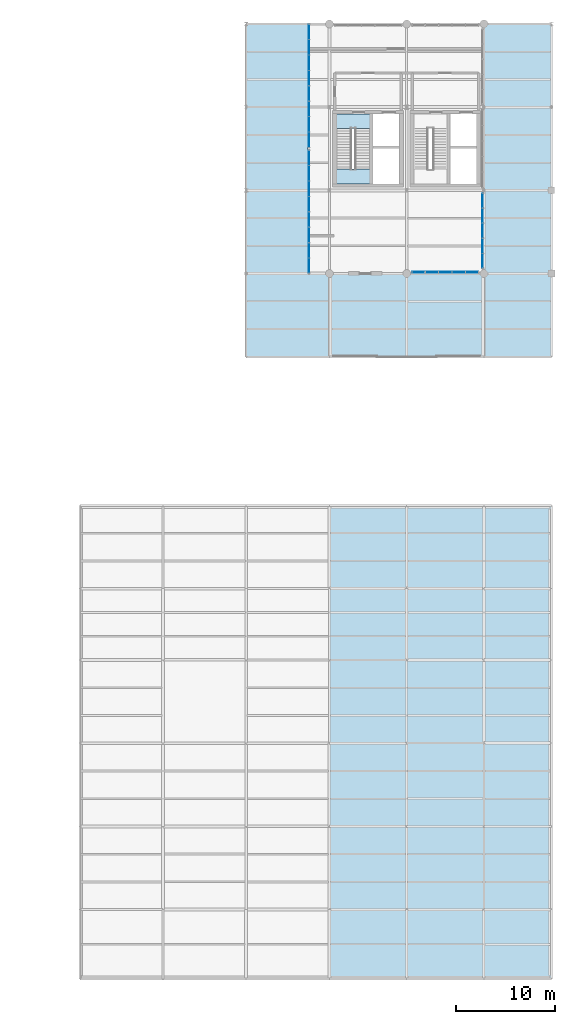
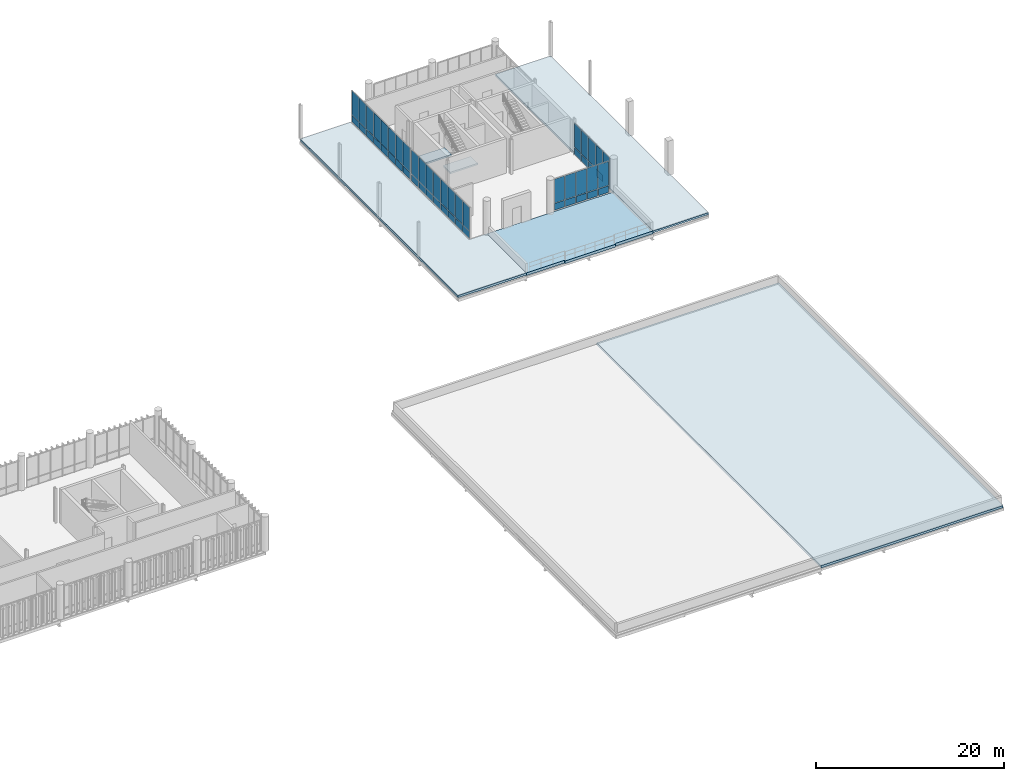
# One storey, part 55 of 68: 52 plates, 6 slabs, 5 elements without a shape of their own.
"""IFC4 building model written with IfcOpenShell, lengths in metres."""

from ifc_helpers import new_model, si_unit, direction, frame, frame_2d, origin_with_axes, place, context, subcontext, project, spatial, polyline, rectangle, outline, extrude, material, layer, layer_set, type_object, element, aggregate, save


model = new_model("IFC4")

# Units and contexts
model_context = context("Model", 3, precision=1e-05, world=origin_with_axes(), true_north=direction((0.0, 1.0)))
body_context = subcontext(model_context, "Body", "Model", "MODEL_VIEW")
ifc_project = project(units=[si_unit("LENGTHUNIT", "METRE"), si_unit("AREAUNIT", "SQUARE_METRE"), si_unit("VOLUMEUNIT", "CUBIC_METRE"), si_unit("PLANEANGLEUNIT", "RADIAN"), si_unit("MASSUNIT", "GRAM", prefix="KILO"), si_unit("THERMODYNAMICTEMPERATUREUNIT", "KELVIN")], contexts=[model_context])

# Site, building, storey
site_placement = place(None, origin_with_axes())
site = spatial("IfcSite", under=ifc_project, at=site_placement, CompositionType="ELEMENT")
building_placement = place(site_placement, origin_with_axes())
building = spatial("IfcBuilding", under=site, at=building_placement, Name="Montbau Bow Law Courts", CompositionType="ELEMENT")
storey_placement = place(building_placement, frame((0.0, 0.0, 20.4), z_axis=(0.0, 0.0, 1.0), x_axis=(1.0, 0.0, 0.0)))
storey = spatial("IfcBuildingStorey", under=building, at=storey_placement, Name="L04", CompositionType="ELEMENT", Elevation=20.4)

# Curtain wall, plates
ifc_material_1 = material(Name="Thermally Broken Extruded Aluminium AA 6063-T6", Category="aluminium")
curtain_wall_type = type_object("IfcCurtainWallType", Name="CW-NCK-01", PredefinedType="NOTDEFINED", material=ifc_material_1)
curtain_wall_1_placement = place(None, frame((155.315, 78.14, 20.4), z_axis=(0.0, 0.0, 1.0), x_axis=(1.0, 0.0, 0.0)))
curtain_wall_1 = element("IfcCurtainWall", 1, at=curtain_wall_1_placement, inside=storey, type_object=curtain_wall_type, Name="CW-L04-325:cw_0325", PredefinedType="NOTDEFINED")
ifc_material_2 = material(Name="Insulated Ceramic-Frit Spandrel Glazing Unit", Category="glass")
ifc_layer_1 = layer(ifc_material_2, 0.056, Name="Curtain Panel", Category="glass")
ifc_layer_set_1 = layer_set([ifc_layer_1], Name="Insulated Ceramic-Frit Spandrel Glazing Unit")
plate_type_1 = type_object("IfcPlateType", Name="PL-CWP-02", PredefinedType="CURTAIN_PANEL", material=ifc_layer_set_1)
plate_1_placement = place(None, frame((155.383, 78.14, 20.456), z_axis=(0.0, -1.0, 0.0), x_axis=(1.0, 0.0, 0.0)))
plate_1 = element("IfcPlate", 2, at=plate_1_placement, type_object=plate_type_1, Name="CW-L04-325-P01-1:cw_0325_P01_1", PredefinedType="CURTAIN_PANEL", context=body_context, shape_type="SweptSolid", body=[
    extrude(rectangle(XDim=1.252, YDim=0.865, at=frame_2d((0.626, 0.4325), x_axis=(1.0, 0.0))), frame((0.0, 0.0, -0.028), z_axis=(0.0, 0.0, 1.0), x_axis=(1.0, 0.0, 0.0)), (0.0, 0.0, 1.0), 0.056),
])
plate_2_placement = place(None, frame((156.704, 78.14, 20.456), z_axis=(0.0, -1.0, 0.0), x_axis=(1.0, 0.0, 0.0)))
plate_2 = element("IfcPlate", 3, at=plate_2_placement, type_object=plate_type_1, Name="CW-L04-325-P02-1:cw_0325_P02_1", PredefinedType="CURTAIN_PANEL", context=body_context, shape_type="SweptSolid", body=[
    extrude(rectangle(XDim=1.285, YDim=0.865, at=frame_2d((0.6425, 0.4325), x_axis=(1.0, 0.0))), frame((0.0, 0.0, -0.028), z_axis=(0.0, 0.0, 1.0), x_axis=(1.0, 0.0, 0.0)), (0.0, 0.0, 1.0), 0.056),
])
plate_3_placement = place(None, frame((158.058, 78.14, 20.456), z_axis=(0.0, -1.0, 0.0), x_axis=(1.0, 0.0, 0.0)))
plate_3 = element("IfcPlate", 4, at=plate_3_placement, type_object=plate_type_1, Name="CW-L04-325-P03-1:cw_0325_P03_1", PredefinedType="CURTAIN_PANEL", context=body_context, shape_type="SweptSolid", body=[
    extrude(rectangle(XDim=1.285, YDim=0.865, at=frame_2d((0.6425, 0.4325), x_axis=(1.0, 0.0))), frame((0.0, 0.0, -0.028), z_axis=(0.0, 0.0, 1.0), x_axis=(1.0, 0.0, 0.0)), (0.0, 0.0, 1.0), 0.056),
])
plate_4_placement = place(None, frame((159.411, 78.14, 20.456), z_axis=(0.0, -1.0, 0.0), x_axis=(1.0, 0.0, 0.0)))
plate_4 = element("IfcPlate", 5, at=plate_4_placement, type_object=plate_type_1, Name="CW-L04-325-P04-1:cw_0325_P04_1", PredefinedType="CURTAIN_PANEL", context=body_context, shape_type="SweptSolid", body=[
    extrude(rectangle(XDim=1.286, YDim=0.865, at=frame_2d((0.643, 0.4325), x_axis=(1.0, 0.0))), frame((0.0, 0.0, -0.028), z_axis=(0.0, 0.0, 1.0), x_axis=(1.0, 0.0, 0.0)), (0.0, 0.0, 1.0), 0.056),
])
plate_5_placement = place(None, frame((160.765, 78.14, 20.456), z_axis=(0.0, -1.0, 0.0), x_axis=(1.0, 0.0, 0.0)))
plate_5 = element("IfcPlate", 6, at=plate_5_placement, type_object=plate_type_1, Name="CW-L04-325-P05-1:cw_0325_P05_1", PredefinedType="CURTAIN_PANEL", context=body_context, shape_type="SweptSolid", body=[
    extrude(rectangle(XDim=1.254, YDim=0.865, at=frame_2d((0.627, 0.4325), x_axis=(1.0, 0.0))), frame((0.0, 0.0, -0.028), z_axis=(0.0, 0.0, 1.0), x_axis=(1.0, 0.0, 0.0)), (0.0, 0.0, 1.0), 0.056),
])

curtain_wall_2_placement = place(None, frame((144.94, 78.0, 20.4), z_axis=(0.0, 0.0, 1.0), x_axis=(1.0, 0.0, 0.0)))
curtain_wall_2 = element("IfcCurtainWall", 7, at=curtain_wall_2_placement, inside=storey, type_object=curtain_wall_type, Name="CW-L04-328:cw_0328", PredefinedType="NOTDEFINED")
plate_6_placement = place(None, frame((144.94, 78.068, 20.462), z_axis=(1.0, 0.0, 0.0), x_axis=(0.0, 1.0, 0.0)))
plate_6 = element("IfcPlate", 8, at=plate_6_placement, type_object=plate_type_1, Name="CW-L04-328-P01-1:cw_0328_P01_1", PredefinedType="CURTAIN_PANEL", context=body_context, shape_type="SweptSolid", body=[
    extrude(rectangle(XDim=1.458, YDim=0.856, at=frame_2d((0.729, 0.428), x_axis=(1.0, 0.0))), frame((0.0, 0.0, -0.028), z_axis=(0.0, 0.0, 1.0), x_axis=(1.0, 0.0, 0.0)), (0.0, 0.0, 1.0), 0.056),
])
plate_7_placement = place(None, frame((144.94, 79.595, 20.462), z_axis=(1.0, 0.0, 0.0), x_axis=(0.0, 1.0, 0.0)))
plate_7 = element("IfcPlate", 9, at=plate_7_placement, type_object=plate_type_1, Name="CW-L04-328-P02-1:cw_0328_P02_1", PredefinedType="CURTAIN_PANEL", context=body_context, shape_type="SweptSolid", body=[
    extrude(rectangle(XDim=1.491, YDim=0.856, at=frame_2d((0.7455, 0.428), x_axis=(1.0, 0.0))), frame((0.0, 0.0, -0.028), z_axis=(0.0, 0.0, 1.0), x_axis=(1.0, 0.0, 0.0)), (0.0, 0.0, 1.0), 0.056),
])
plate_8_placement = place(None, frame((144.94, 81.155, 20.462), z_axis=(1.0, 0.0, 0.0), x_axis=(0.0, 1.0, 0.0)))
plate_8 = element("IfcPlate", 10, at=plate_8_placement, type_object=plate_type_1, Name="CW-L04-328-P03-1:cw_0328_P03_1", PredefinedType="CURTAIN_PANEL", context=body_context, shape_type="SweptSolid", body=[
    extrude(rectangle(XDim=1.491, YDim=0.856, at=frame_2d((0.7455, 0.428), x_axis=(1.0, 0.0))), frame((0.0, 0.0, -0.028), z_axis=(0.0, 0.0, 1.0), x_axis=(1.0, 0.0, 0.0)), (0.0, 0.0, 1.0), 0.056),
])
plate_9_placement = place(None, frame((144.94, 82.714, 20.462), z_axis=(1.0, 0.0, 0.0), x_axis=(0.0, 1.0, 0.0)))
plate_9 = element("IfcPlate", 11, at=plate_9_placement, type_object=plate_type_1, Name="CW-L04-328-P04-1:cw_0328_P04_1", PredefinedType="CURTAIN_PANEL", context=body_context, shape_type="SweptSolid", body=[
    extrude(rectangle(XDim=1.492, YDim=0.856, at=frame_2d((0.746, 0.428), x_axis=(1.0, 0.0))), frame((0.0, 0.0, -0.028), z_axis=(0.0, 0.0, 1.0), x_axis=(1.0, 0.0, 0.0)), (0.0, 0.0, 1.0), 0.056),
])
plate_10_placement = place(None, frame((144.94, 84.274, 20.462), z_axis=(1.0, 0.0, 0.0), x_axis=(0.0, 1.0, 0.0)))
plate_10 = element("IfcPlate", 12, at=plate_10_placement, type_object=plate_type_1, Name="CW-L04-328-P05-1:cw_0328_P05_1", PredefinedType="CURTAIN_PANEL", context=body_context, shape_type="SweptSolid", body=[
    extrude(rectangle(XDim=1.492, YDim=0.856, at=frame_2d((0.746, 0.428), x_axis=(1.0, 0.0))), frame((0.0, 0.0, -0.028), z_axis=(0.0, 0.0, 1.0), x_axis=(1.0, 0.0, 0.0)), (0.0, 0.0, 1.0), 0.056),
])
plate_11_placement = place(None, frame((144.94, 85.834, 20.462), z_axis=(1.0, 0.0, 0.0), x_axis=(0.0, 1.0, 0.0)))
plate_11 = element("IfcPlate", 13, at=plate_11_placement, type_object=plate_type_1, Name="CW-L04-328-P06-1:cw_0328_P06_1", PredefinedType="CURTAIN_PANEL", context=body_context, shape_type="SweptSolid", body=[
    extrude(rectangle(XDim=1.491, YDim=0.856, at=frame_2d((0.7455, 0.428), x_axis=(1.0, 0.0))), frame((0.0, 0.0, -0.028), z_axis=(0.0, 0.0, 1.0), x_axis=(1.0, 0.0, 0.0)), (0.0, 0.0, 1.0), 0.056),
])
plate_12_placement = place(None, frame((144.94, 87.395, 20.462), z_axis=(1.0, 0.0, 0.0), x_axis=(0.0, 1.0, 0.0)))
plate_12 = element("IfcPlate", 14, at=plate_12_placement, type_object=plate_type_1, Name="CW-L04-328-P07-1:cw_0328_P07_1", PredefinedType="CURTAIN_PANEL", context=body_context, shape_type="SweptSolid", body=[
    extrude(rectangle(XDim=1.49, YDim=0.856, at=frame_2d((0.745, 0.428), x_axis=(1.0, 0.0))), frame((0.0, 0.0, -0.028), z_axis=(0.0, 0.0, 1.0), x_axis=(1.0, 0.0, 0.0)), (0.0, 0.0, 1.0), 0.056),
])
plate_13_placement = place(None, frame((144.94, 88.955, 20.462), z_axis=(1.0, 0.0, 0.0), x_axis=(0.0, 1.0, 0.0)))
plate_13 = element("IfcPlate", 15, at=plate_13_placement, type_object=plate_type_1, Name="CW-L04-328-P08-1:cw_0328_P08_1", PredefinedType="CURTAIN_PANEL", context=body_context, shape_type="SweptSolid", body=[
    extrude(rectangle(XDim=1.458, YDim=0.856, at=frame_2d((0.729, 0.428), x_axis=(1.0, 0.0))), frame((0.0, 0.0, -0.028), z_axis=(0.0, 0.0, 1.0), x_axis=(1.0, 0.0, 0.0)), (0.0, 0.0, 1.0), 0.056),
])

curtain_wall_3_placement = place(None, frame((144.94, 90.72, 20.4), z_axis=(0.0, 0.0, 1.0), x_axis=(1.0, 0.0, 0.0)))
curtain_wall_3 = element("IfcCurtainWall", 16, at=curtain_wall_3_placement, inside=storey, type_object=curtain_wall_type, Name="CW-L04-329:cw_0329", PredefinedType="NOTDEFINED")
plate_14_placement = place(None, frame((144.94, 90.782, 20.456), z_axis=(1.0, 0.0, 0.0), x_axis=(0.0, 1.0, 0.0)))
plate_14 = element("IfcPlate", 17, at=plate_14_placement, type_object=plate_type_1, Name="CW-L04-329-P01-1:cw_0329_P01_1", PredefinedType="CURTAIN_PANEL", context=body_context, shape_type="SweptSolid", body=[
    extrude(rectangle(XDim=1.466, YDim=0.865, at=frame_2d((0.733, 0.4325), x_axis=(1.0, 0.0))), frame((0.0, 0.0, -0.028), z_axis=(0.0, 0.0, 1.0), x_axis=(1.0, 0.0, 0.0)), (0.0, 0.0, 1.0), 0.056),
])
plate_15_placement = place(None, frame((144.94, 92.312, 20.456), z_axis=(1.0, 0.0, 0.0), x_axis=(0.0, 1.0, 0.0)))
plate_15 = element("IfcPlate", 18, at=plate_15_placement, type_object=plate_type_1, Name="CW-L04-329-P02-1:cw_0329_P02_1", PredefinedType="CURTAIN_PANEL", context=body_context, shape_type="SweptSolid", body=[
    extrude(rectangle(XDim=1.496, YDim=0.865, at=frame_2d((0.748, 0.4325), x_axis=(1.0, 0.0))), frame((0.0, 0.0, -0.028), z_axis=(0.0, 0.0, 1.0), x_axis=(1.0, 0.0, 0.0)), (0.0, 0.0, 1.0), 0.056),
])
plate_16_placement = place(None, frame((144.94, 93.872, 20.456), z_axis=(1.0, 0.0, 0.0), x_axis=(0.0, 1.0, 0.0)))
plate_16 = element("IfcPlate", 19, at=plate_16_placement, type_object=plate_type_1, Name="CW-L04-329-P03-1:cw_0329_P03_1", PredefinedType="CURTAIN_PANEL", context=body_context, shape_type="SweptSolid", body=[
    extrude(rectangle(XDim=1.496, YDim=0.865, at=frame_2d((0.748, 0.4325), x_axis=(1.0, 0.0))), frame((0.0, 0.0, -0.028), z_axis=(0.0, 0.0, 1.0), x_axis=(1.0, 0.0, 0.0)), (0.0, 0.0, 1.0), 0.056),
])
plate_17_placement = place(None, frame((144.94, 95.432, 20.456), z_axis=(1.0, 0.0, 0.0), x_axis=(0.0, 1.0, 0.0)))
plate_17 = element("IfcPlate", 20, at=plate_17_placement, type_object=plate_type_1, Name="CW-L04-329-P04-1:cw_0329_P04_1", PredefinedType="CURTAIN_PANEL", context=body_context, shape_type="SweptSolid", body=[
    extrude(rectangle(XDim=1.496, YDim=0.865, at=frame_2d((0.748, 0.4325), x_axis=(1.0, 0.0))), frame((0.0, 0.0, -0.028), z_axis=(0.0, 0.0, 1.0), x_axis=(1.0, 0.0, 0.0)), (0.0, 0.0, 1.0), 0.056),
])
plate_18_placement = place(None, frame((144.94, 96.992, 20.456), z_axis=(1.0, 0.0, 0.0), x_axis=(0.0, 1.0, 0.0)))
plate_18 = element("IfcPlate", 21, at=plate_18_placement, type_object=plate_type_1, Name="CW-L04-329-P05-1:cw_0329_P05_1", PredefinedType="CURTAIN_PANEL", context=body_context, shape_type="SweptSolid", body=[
    extrude(rectangle(XDim=1.496, YDim=0.865, at=frame_2d((0.748, 0.4325), x_axis=(1.0, 0.0))), frame((0.0, 0.0, -0.028), z_axis=(0.0, 0.0, 1.0), x_axis=(1.0, 0.0, 0.0)), (0.0, 0.0, 1.0), 0.056),
])
plate_19_placement = place(None, frame((144.94, 98.552, 20.456), z_axis=(1.0, 0.0, 0.0), x_axis=(0.0, 1.0, 0.0)))
plate_19 = element("IfcPlate", 22, at=plate_19_placement, type_object=plate_type_1, Name="CW-L04-329-P06-1:cw_0329_P06_1", PredefinedType="CURTAIN_PANEL", context=body_context, shape_type="SweptSolid", body=[
    extrude(rectangle(XDim=1.496, YDim=0.865, at=frame_2d((0.748, 0.4325), x_axis=(1.0, 0.0))), frame((0.0, 0.0, -0.028), z_axis=(0.0, 0.0, 1.0), x_axis=(1.0, 0.0, 0.0)), (0.0, 0.0, 1.0), 0.056),
])
plate_20_placement = place(None, frame((144.94, 100.112, 20.456), z_axis=(1.0, 0.0, 0.0), x_axis=(0.0, 1.0, 0.0)))
plate_20 = element("IfcPlate", 23, at=plate_20_placement, type_object=plate_type_1, Name="CW-L04-329-P07-1:cw_0329_P07_1", PredefinedType="CURTAIN_PANEL", context=body_context, shape_type="SweptSolid", body=[
    extrude(rectangle(XDim=1.496, YDim=0.865, at=frame_2d((0.748, 0.4325), x_axis=(1.0, 0.0))), frame((0.0, 0.0, -0.028), z_axis=(0.0, 0.0, 1.0), x_axis=(1.0, 0.0, 0.0)), (0.0, 0.0, 1.0), 0.056),
])
plate_21_placement = place(None, frame((144.94, 101.672, 20.456), z_axis=(1.0, 0.0, 0.0), x_axis=(0.0, 1.0, 0.0)))
plate_21 = element("IfcPlate", 24, at=plate_21_placement, type_object=plate_type_1, Name="CW-L04-329-P08-1:cw_0329_P08_1", PredefinedType="CURTAIN_PANEL", context=body_context, shape_type="SweptSolid", body=[
    extrude(rectangle(XDim=1.466, YDim=0.865, at=frame_2d((0.733, 0.4325), x_axis=(1.0, 0.0))), frame((0.0, 0.0, -0.028), z_axis=(0.0, 0.0, 1.0), x_axis=(1.0, 0.0, 0.0)), (0.0, 0.0, 1.0), 0.056),
])

curtain_wall_4_placement = place(None, frame((162.46, 78.515, 20.4), z_axis=(0.0, 0.0, 1.0), x_axis=(1.0, 0.0, 0.0)))
curtain_wall_4 = element("IfcCurtainWall", 25, at=curtain_wall_4_placement, inside=storey, type_object=curtain_wall_type, Name="CW-L04-330:cw_0330", PredefinedType="NOTDEFINED")
plate_22_placement = place(None, frame((162.46, 78.591, 20.462), z_axis=(1.0, 0.0, 0.0), x_axis=(0.0, 1.0, 0.0)))
plate_22 = element("IfcPlate", 26, at=plate_22_placement, type_object=plate_type_1, Name="CW-L04-330-P01-1:cw_0330_P01_1", PredefinedType="CURTAIN_PANEL", context=body_context, shape_type="SweptSolid", body=[
    extrude(rectangle(XDim=1.408, YDim=0.856, at=frame_2d((0.704, 0.428), x_axis=(1.0, 0.0))), frame((0.0, 0.0, -0.028), z_axis=(0.0, 0.0, 1.0), x_axis=(1.0, 0.0, 0.0)), (0.0, 0.0, 1.0), 0.056),
])
plate_23_placement = place(None, frame((162.46, 80.079, 20.462), z_axis=(1.0, 0.0, 0.0), x_axis=(0.0, 1.0, 0.0)))
plate_23 = element("IfcPlate", 27, at=plate_23_placement, type_object=plate_type_1, Name="CW-L04-330-P02-1:cw_0330_P02_1", PredefinedType="CURTAIN_PANEL", context=body_context, shape_type="SweptSolid", body=[
    extrude(rectangle(XDim=1.444, YDim=0.856, at=frame_2d((0.722, 0.428), x_axis=(1.0, 0.0))), frame((0.0, 0.0, -0.028), z_axis=(0.0, 0.0, 1.0), x_axis=(1.0, 0.0, 0.0)), (0.0, 0.0, 1.0), 0.056),
])
plate_24_placement = place(None, frame((162.46, 81.602, 20.462), z_axis=(1.0, 0.0, 0.0), x_axis=(0.0, 1.0, 0.0)))
plate_24 = element("IfcPlate", 28, at=plate_24_placement, type_object=plate_type_1, Name="CW-L04-330-P03-1:cw_0330_P03_1", PredefinedType="CURTAIN_PANEL", context=body_context, shape_type="SweptSolid", body=[
    extrude(rectangle(XDim=1.445, YDim=0.856, at=frame_2d((0.7225, 0.428), x_axis=(1.0, 0.0))), frame((0.0, 0.0, -0.028), z_axis=(0.0, 0.0, 1.0), x_axis=(1.0, 0.0, 0.0)), (0.0, 0.0, 1.0), 0.056),
])
plate_25_placement = place(None, frame((162.46, 83.125, 20.462), z_axis=(1.0, 0.0, 0.0), x_axis=(0.0, 1.0, 0.0)))
plate_25 = element("IfcPlate", 29, at=plate_25_placement, type_object=plate_type_1, Name="CW-L04-330-P04-1:cw_0330_P04_1", PredefinedType="CURTAIN_PANEL", context=body_context, shape_type="SweptSolid", body=[
    extrude(rectangle(XDim=1.445, YDim=0.856, at=frame_2d((0.7225, 0.428), x_axis=(1.0, 0.0))), frame((0.0, 0.0, -0.028), z_axis=(0.0, 0.0, 1.0), x_axis=(1.0, 0.0, 0.0)), (0.0, 0.0, 1.0), 0.056),
])
plate_26_placement = place(None, frame((162.46, 84.648, 20.462), z_axis=(1.0, 0.0, 0.0), x_axis=(0.0, 1.0, 0.0)))
plate_26 = element("IfcPlate", 30, at=plate_26_placement, type_object=plate_type_1, Name="CW-L04-330-P05-1:cw_0330_P05_1", PredefinedType="CURTAIN_PANEL", context=body_context, shape_type="SweptSolid", body=[
    extrude(rectangle(XDim=1.408, YDim=0.856, at=frame_2d((0.704, 0.428), x_axis=(1.0, 0.0))), frame((0.0, 0.0, -0.028), z_axis=(0.0, 0.0, 1.0), x_axis=(1.0, 0.0, 0.0)), (0.0, 0.0, 1.0), 0.056),
])

# Plate
ifc_material_3 = material(Name="Triple-Glazed Winter-Garden Vision Unit", Category="glass")
ifc_layer_2 = layer(ifc_material_3, 0.036, Name="Curtain Panel", Category="glass")
ifc_layer_set_2 = layer_set([ifc_layer_2], Name="Triple-Glazed Winter-Garden Vision Unit")
plate_type_2 = type_object("IfcPlateType", Name="PL-CWP-03", PredefinedType="CURTAIN_PANEL", material=ifc_layer_set_2)
plate_27_placement = place(None, frame((155.383, 78.14, 21.38), z_axis=(0.0, -1.0, 0.0), x_axis=(1.0, 0.0, 0.0)))
plate_27 = element("IfcPlate", 31, at=plate_27_placement, type_object=plate_type_2, Name="CW-L04-325-P01-2:cw_0325_P01_2", PredefinedType="CURTAIN_PANEL", context=body_context, shape_type="SweptSolid", body=[
    extrude(rectangle(XDim=1.252, YDim=3.103, at=frame_2d((0.626, 1.5515), x_axis=(1.0, 0.0))), frame((0.0, 0.0, -0.018), z_axis=(0.0, 0.0, 1.0), x_axis=(1.0, 0.0, 0.0)), (0.0, 0.0, 1.0), 0.036),
])

plate_28_placement = place(None, frame((156.704, 78.14, 21.38), z_axis=(0.0, -1.0, 0.0), x_axis=(1.0, 0.0, 0.0)))
plate_28 = element("IfcPlate", 32, at=plate_28_placement, type_object=plate_type_2, Name="CW-L04-325-P02-2:cw_0325_P02_2", PredefinedType="CURTAIN_PANEL", context=body_context, shape_type="SweptSolid", body=[
    extrude(rectangle(XDim=1.285, YDim=3.103, at=frame_2d((0.6425, 1.5515), x_axis=(1.0, 0.0))), frame((0.0, 0.0, -0.018), z_axis=(0.0, 0.0, 1.0), x_axis=(1.0, 0.0, 0.0)), (0.0, 0.0, 1.0), 0.036),
])

plate_29_placement = place(None, frame((158.058, 78.14, 21.38), z_axis=(0.0, -1.0, 0.0), x_axis=(1.0, 0.0, 0.0)))
plate_29 = element("IfcPlate", 33, at=plate_29_placement, type_object=plate_type_2, Name="CW-L04-325-P03-2:cw_0325_P03_2", PredefinedType="CURTAIN_PANEL", context=body_context, shape_type="SweptSolid", body=[
    extrude(rectangle(XDim=1.285, YDim=3.103, at=frame_2d((0.6425, 1.5515), x_axis=(1.0, 0.0))), frame((0.0, 0.0, -0.018), z_axis=(0.0, 0.0, 1.0), x_axis=(1.0, 0.0, 0.0)), (0.0, 0.0, 1.0), 0.036),
])

plate_30_placement = place(None, frame((159.411, 78.14, 21.38), z_axis=(0.0, -1.0, 0.0), x_axis=(1.0, 0.0, 0.0)))
plate_30 = element("IfcPlate", 34, at=plate_30_placement, type_object=plate_type_2, Name="CW-L04-325-P04-2:cw_0325_P04_2", PredefinedType="CURTAIN_PANEL", context=body_context, shape_type="SweptSolid", body=[
    extrude(rectangle(XDim=1.286, YDim=3.103, at=frame_2d((0.643, 1.5515), x_axis=(1.0, 0.0))), frame((0.0, 0.0, -0.018), z_axis=(0.0, 0.0, 1.0), x_axis=(1.0, 0.0, 0.0)), (0.0, 0.0, 1.0), 0.036),
])

plate_31_placement = place(None, frame((160.765, 78.14, 21.38), z_axis=(0.0, -1.0, 0.0), x_axis=(1.0, 0.0, 0.0)))
plate_31 = element("IfcPlate", 35, at=plate_31_placement, type_object=plate_type_2, Name="CW-L04-325-P05-2:cw_0325_P05_2", PredefinedType="CURTAIN_PANEL", context=body_context, shape_type="SweptSolid", body=[
    extrude(rectangle(XDim=1.254, YDim=3.103, at=frame_2d((0.627, 1.5515), x_axis=(1.0, 0.0))), frame((0.0, 0.0, -0.018), z_axis=(0.0, 0.0, 1.0), x_axis=(1.0, 0.0, 0.0)), (0.0, 0.0, 1.0), 0.036),
])

aggregate(curtain_wall_1, [plate_1, plate_27, plate_2, plate_28, plate_3, plate_29, plate_4, plate_30, plate_5, plate_31])

plate_32_placement = place(None, frame((144.94, 78.068, 21.382), z_axis=(1.0, 0.0, 0.0), x_axis=(0.0, 1.0, 0.0)))
plate_32 = element("IfcPlate", 36, at=plate_32_placement, type_object=plate_type_2, Name="CW-L04-328-P01-2:cw_0328_P01_2", PredefinedType="CURTAIN_PANEL", context=body_context, shape_type="SweptSolid", body=[
    extrude(rectangle(XDim=1.458, YDim=3.096, at=frame_2d((0.729, 1.548), x_axis=(1.0, 0.0))), frame((0.0, 0.0, -0.018), z_axis=(0.0, 0.0, 1.0), x_axis=(1.0, 0.0, 0.0)), (0.0, 0.0, 1.0), 0.036),
])

plate_33_placement = place(None, frame((144.94, 79.595, 21.382), z_axis=(1.0, 0.0, 0.0), x_axis=(0.0, 1.0, 0.0)))
plate_33 = element("IfcPlate", 37, at=plate_33_placement, type_object=plate_type_2, Name="CW-L04-328-P02-2:cw_0328_P02_2", PredefinedType="CURTAIN_PANEL", context=body_context, shape_type="SweptSolid", body=[
    extrude(rectangle(XDim=1.491, YDim=3.096, at=frame_2d((0.7455, 1.548), x_axis=(1.0, 0.0))), frame((0.0, 0.0, -0.018), z_axis=(0.0, 0.0, 1.0), x_axis=(1.0, 0.0, 0.0)), (0.0, 0.0, 1.0), 0.036),
])

plate_34_placement = place(None, frame((144.94, 81.155, 21.382), z_axis=(1.0, 0.0, 0.0), x_axis=(0.0, 1.0, 0.0)))
plate_34 = element("IfcPlate", 38, at=plate_34_placement, type_object=plate_type_2, Name="CW-L04-328-P03-2:cw_0328_P03_2", PredefinedType="CURTAIN_PANEL", context=body_context, shape_type="SweptSolid", body=[
    extrude(rectangle(XDim=1.491, YDim=3.096, at=frame_2d((0.7455, 1.548), x_axis=(1.0, 0.0))), frame((0.0, 0.0, -0.018), z_axis=(0.0, 0.0, 1.0), x_axis=(1.0, 0.0, 0.0)), (0.0, 0.0, 1.0), 0.036),
])

plate_35_placement = place(None, frame((144.94, 82.714, 21.382), z_axis=(1.0, 0.0, 0.0), x_axis=(0.0, 1.0, 0.0)))
plate_35 = element("IfcPlate", 39, at=plate_35_placement, type_object=plate_type_2, Name="CW-L04-328-P04-2:cw_0328_P04_2", PredefinedType="CURTAIN_PANEL", context=body_context, shape_type="SweptSolid", body=[
    extrude(rectangle(XDim=1.492, YDim=3.096, at=frame_2d((0.746, 1.548), x_axis=(1.0, 0.0))), frame((0.0, 0.0, -0.018), z_axis=(0.0, 0.0, 1.0), x_axis=(1.0, 0.0, 0.0)), (0.0, 0.0, 1.0), 0.036),
])

plate_36_placement = place(None, frame((144.94, 84.274, 21.382), z_axis=(1.0, 0.0, 0.0), x_axis=(0.0, 1.0, 0.0)))
plate_36 = element("IfcPlate", 40, at=plate_36_placement, type_object=plate_type_2, Name="CW-L04-328-P05-2:cw_0328_P05_2", PredefinedType="CURTAIN_PANEL", context=body_context, shape_type="SweptSolid", body=[
    extrude(rectangle(XDim=1.492, YDim=3.096, at=frame_2d((0.746, 1.548), x_axis=(1.0, 0.0))), frame((0.0, 0.0, -0.018), z_axis=(0.0, 0.0, 1.0), x_axis=(1.0, 0.0, 0.0)), (0.0, 0.0, 1.0), 0.036),
])

plate_37_placement = place(None, frame((144.94, 85.834, 21.382), z_axis=(1.0, 0.0, 0.0), x_axis=(0.0, 1.0, 0.0)))
plate_37 = element("IfcPlate", 41, at=plate_37_placement, type_object=plate_type_2, Name="CW-L04-328-P06-2:cw_0328_P06_2", PredefinedType="CURTAIN_PANEL", context=body_context, shape_type="SweptSolid", body=[
    extrude(rectangle(XDim=1.491, YDim=3.096, at=frame_2d((0.7455, 1.548), x_axis=(1.0, 0.0))), frame((0.0, 0.0, -0.018), z_axis=(0.0, 0.0, 1.0), x_axis=(1.0, 0.0, 0.0)), (0.0, 0.0, 1.0), 0.036),
])

plate_38_placement = place(None, frame((144.94, 87.395, 21.382), z_axis=(1.0, 0.0, 0.0), x_axis=(0.0, 1.0, 0.0)))
plate_38 = element("IfcPlate", 42, at=plate_38_placement, type_object=plate_type_2, Name="CW-L04-328-P07-2:cw_0328_P07_2", PredefinedType="CURTAIN_PANEL", context=body_context, shape_type="SweptSolid", body=[
    extrude(rectangle(XDim=1.49, YDim=3.096, at=frame_2d((0.745, 1.548), x_axis=(1.0, 0.0))), frame((0.0, 0.0, -0.018), z_axis=(0.0, 0.0, 1.0), x_axis=(1.0, 0.0, 0.0)), (0.0, 0.0, 1.0), 0.036),
])

plate_39_placement = place(None, frame((144.94, 88.955, 21.382), z_axis=(1.0, 0.0, 0.0), x_axis=(0.0, 1.0, 0.0)))
plate_39 = element("IfcPlate", 43, at=plate_39_placement, type_object=plate_type_2, Name="CW-L04-328-P08-2:cw_0328_P08_2", PredefinedType="CURTAIN_PANEL", context=body_context, shape_type="SweptSolid", body=[
    extrude(rectangle(XDim=1.458, YDim=3.096, at=frame_2d((0.729, 1.548), x_axis=(1.0, 0.0))), frame((0.0, 0.0, -0.018), z_axis=(0.0, 0.0, 1.0), x_axis=(1.0, 0.0, 0.0)), (0.0, 0.0, 1.0), 0.036),
])

aggregate(curtain_wall_2, [plate_6, plate_32, plate_7, plate_33, plate_8, plate_34, plate_9, plate_35, plate_10, plate_36, plate_11, plate_37, plate_12, plate_38, plate_13, plate_39])

plate_40_placement = place(None, frame((144.94, 90.782, 21.38), z_axis=(1.0, 0.0, 0.0), x_axis=(0.0, 1.0, 0.0)))
plate_40 = element("IfcPlate", 44, at=plate_40_placement, type_object=plate_type_2, Name="CW-L04-329-P01-2:cw_0329_P01_2", PredefinedType="CURTAIN_PANEL", context=body_context, shape_type="SweptSolid", body=[
    extrude(rectangle(XDim=1.466, YDim=3.103, at=frame_2d((0.733, 1.5515), x_axis=(1.0, 0.0))), frame((0.0, 0.0, -0.018), z_axis=(0.0, 0.0, 1.0), x_axis=(1.0, 0.0, 0.0)), (0.0, 0.0, 1.0), 0.036),
])

plate_41_placement = place(None, frame((144.94, 92.312, 21.38), z_axis=(1.0, 0.0, 0.0), x_axis=(0.0, 1.0, 0.0)))
plate_41 = element("IfcPlate", 45, at=plate_41_placement, type_object=plate_type_2, Name="CW-L04-329-P02-2:cw_0329_P02_2", PredefinedType="CURTAIN_PANEL", context=body_context, shape_type="SweptSolid", body=[
    extrude(rectangle(XDim=1.496, YDim=3.103, at=frame_2d((0.748, 1.5515), x_axis=(1.0, 0.0))), frame((0.0, 0.0, -0.018), z_axis=(0.0, 0.0, 1.0), x_axis=(1.0, 0.0, 0.0)), (0.0, 0.0, 1.0), 0.036),
])

plate_42_placement = place(None, frame((144.94, 93.872, 21.38), z_axis=(1.0, 0.0, 0.0), x_axis=(0.0, 1.0, 0.0)))
plate_42 = element("IfcPlate", 46, at=plate_42_placement, type_object=plate_type_2, Name="CW-L04-329-P03-2:cw_0329_P03_2", PredefinedType="CURTAIN_PANEL", context=body_context, shape_type="SweptSolid", body=[
    extrude(rectangle(XDim=1.496, YDim=3.103, at=frame_2d((0.748, 1.5515), x_axis=(1.0, 0.0))), frame((0.0, 0.0, -0.018), z_axis=(0.0, 0.0, 1.0), x_axis=(1.0, 0.0, 0.0)), (0.0, 0.0, 1.0), 0.036),
])

plate_43_placement = place(None, frame((144.94, 95.432, 21.38), z_axis=(1.0, 0.0, 0.0), x_axis=(0.0, 1.0, 0.0)))
plate_43 = element("IfcPlate", 47, at=plate_43_placement, type_object=plate_type_2, Name="CW-L04-329-P04-2:cw_0329_P04_2", PredefinedType="CURTAIN_PANEL", context=body_context, shape_type="SweptSolid", body=[
    extrude(rectangle(XDim=1.496, YDim=3.103, at=frame_2d((0.748, 1.5515), x_axis=(1.0, 0.0))), frame((0.0, 0.0, -0.018), z_axis=(0.0, 0.0, 1.0), x_axis=(1.0, 0.0, 0.0)), (0.0, 0.0, 1.0), 0.036),
])

plate_44_placement = place(None, frame((144.94, 96.992, 21.38), z_axis=(1.0, 0.0, 0.0), x_axis=(0.0, 1.0, 0.0)))
plate_44 = element("IfcPlate", 48, at=plate_44_placement, type_object=plate_type_2, Name="CW-L04-329-P05-2:cw_0329_P05_2", PredefinedType="CURTAIN_PANEL", context=body_context, shape_type="SweptSolid", body=[
    extrude(rectangle(XDim=1.496, YDim=3.103, at=frame_2d((0.748, 1.5515), x_axis=(1.0, 0.0))), frame((0.0, 0.0, -0.018), z_axis=(0.0, 0.0, 1.0), x_axis=(1.0, 0.0, 0.0)), (0.0, 0.0, 1.0), 0.036),
])

plate_45_placement = place(None, frame((144.94, 98.552, 21.38), z_axis=(1.0, 0.0, 0.0), x_axis=(0.0, 1.0, 0.0)))
plate_45 = element("IfcPlate", 49, at=plate_45_placement, type_object=plate_type_2, Name="CW-L04-329-P06-2:cw_0329_P06_2", PredefinedType="CURTAIN_PANEL", context=body_context, shape_type="SweptSolid", body=[
    extrude(rectangle(XDim=1.496, YDim=3.103, at=frame_2d((0.748, 1.5515), x_axis=(1.0, 0.0))), frame((0.0, 0.0, -0.018), z_axis=(0.0, 0.0, 1.0), x_axis=(1.0, 0.0, 0.0)), (0.0, 0.0, 1.0), 0.036),
])

plate_46_placement = place(None, frame((144.94, 100.112, 21.38), z_axis=(1.0, 0.0, 0.0), x_axis=(0.0, 1.0, 0.0)))
plate_46 = element("IfcPlate", 50, at=plate_46_placement, type_object=plate_type_2, Name="CW-L04-329-P07-2:cw_0329_P07_2", PredefinedType="CURTAIN_PANEL", context=body_context, shape_type="SweptSolid", body=[
    extrude(rectangle(XDim=1.496, YDim=3.103, at=frame_2d((0.748, 1.5515), x_axis=(1.0, 0.0))), frame((0.0, 0.0, -0.018), z_axis=(0.0, 0.0, 1.0), x_axis=(1.0, 0.0, 0.0)), (0.0, 0.0, 1.0), 0.036),
])

plate_47_placement = place(None, frame((144.94, 101.672, 21.38), z_axis=(1.0, 0.0, 0.0), x_axis=(0.0, 1.0, 0.0)))
plate_47 = element("IfcPlate", 51, at=plate_47_placement, type_object=plate_type_2, Name="CW-L04-329-P08-2:cw_0329_P08_2", PredefinedType="CURTAIN_PANEL", context=body_context, shape_type="SweptSolid", body=[
    extrude(rectangle(XDim=1.466, YDim=3.103, at=frame_2d((0.733, 1.5515), x_axis=(1.0, 0.0))), frame((0.0, 0.0, -0.018), z_axis=(0.0, 0.0, 1.0), x_axis=(1.0, 0.0, 0.0)), (0.0, 0.0, 1.0), 0.036),
])

aggregate(curtain_wall_3, [plate_14, plate_40, plate_15, plate_41, plate_16, plate_42, plate_17, plate_43, plate_18, plate_44, plate_19, plate_45, plate_20, plate_46, plate_21, plate_47])

plate_48_placement = place(None, frame((162.46, 78.591, 21.382), z_axis=(1.0, 0.0, 0.0), x_axis=(0.0, 1.0, 0.0)))
plate_48 = element("IfcPlate", 52, at=plate_48_placement, type_object=plate_type_2, Name="CW-L04-330-P01-2:cw_0330_P01_2", PredefinedType="CURTAIN_PANEL", context=body_context, shape_type="SweptSolid", body=[
    extrude(rectangle(XDim=1.408, YDim=3.096, at=frame_2d((0.704, 1.548), x_axis=(1.0, 0.0))), frame((0.0, 0.0, -0.018), z_axis=(0.0, 0.0, 1.0), x_axis=(1.0, 0.0, 0.0)), (0.0, 0.0, 1.0), 0.036),
])

plate_49_placement = place(None, frame((162.46, 80.079, 21.382), z_axis=(1.0, 0.0, 0.0), x_axis=(0.0, 1.0, 0.0)))
plate_49 = element("IfcPlate", 53, at=plate_49_placement, type_object=plate_type_2, Name="CW-L04-330-P02-2:cw_0330_P02_2", PredefinedType="CURTAIN_PANEL", context=body_context, shape_type="SweptSolid", body=[
    extrude(rectangle(XDim=1.444, YDim=3.096, at=frame_2d((0.722, 1.548), x_axis=(1.0, 0.0))), frame((0.0, 0.0, -0.018), z_axis=(0.0, 0.0, 1.0), x_axis=(1.0, 0.0, 0.0)), (0.0, 0.0, 1.0), 0.036),
])

plate_50_placement = place(None, frame((162.46, 81.602, 21.382), z_axis=(1.0, 0.0, 0.0), x_axis=(0.0, 1.0, 0.0)))
plate_50 = element("IfcPlate", 54, at=plate_50_placement, type_object=plate_type_2, Name="CW-L04-330-P03-2:cw_0330_P03_2", PredefinedType="CURTAIN_PANEL", context=body_context, shape_type="SweptSolid", body=[
    extrude(rectangle(XDim=1.445, YDim=3.096, at=frame_2d((0.7225, 1.548), x_axis=(1.0, 0.0))), frame((0.0, 0.0, -0.018), z_axis=(0.0, 0.0, 1.0), x_axis=(1.0, 0.0, 0.0)), (0.0, 0.0, 1.0), 0.036),
])

plate_51_placement = place(None, frame((162.46, 83.125, 21.382), z_axis=(1.0, 0.0, 0.0), x_axis=(0.0, 1.0, 0.0)))
plate_51 = element("IfcPlate", 55, at=plate_51_placement, type_object=plate_type_2, Name="CW-L04-330-P04-2:cw_0330_P04_2", PredefinedType="CURTAIN_PANEL", context=body_context, shape_type="SweptSolid", body=[
    extrude(rectangle(XDim=1.445, YDim=3.096, at=frame_2d((0.7225, 1.548), x_axis=(1.0, 0.0))), frame((0.0, 0.0, -0.018), z_axis=(0.0, 0.0, 1.0), x_axis=(1.0, 0.0, 0.0)), (0.0, 0.0, 1.0), 0.036),
])

plate_52_placement = place(None, frame((162.46, 84.648, 21.382), z_axis=(1.0, 0.0, 0.0), x_axis=(0.0, 1.0, 0.0)))
plate_52 = element("IfcPlate", 56, at=plate_52_placement, type_object=plate_type_2, Name="CW-L04-330-P05-2:cw_0330_P05_2", PredefinedType="CURTAIN_PANEL", context=body_context, shape_type="SweptSolid", body=[
    extrude(rectangle(XDim=1.408, YDim=3.096, at=frame_2d((0.704, 1.548), x_axis=(1.0, 0.0))), frame((0.0, 0.0, -0.018), z_axis=(0.0, 0.0, 1.0), x_axis=(1.0, 0.0, 0.0)), (0.0, 0.0, 1.0), 0.036),
])

aggregate(curtain_wall_4, [plate_22, plate_48, plate_23, plate_49, plate_24, plate_50, plate_25, plate_51, plate_26, plate_52])

# Stair, slabs
ifc_material_4 = material(Name="Concrete CSA A23.1 f'c 40 MPa", Category="concrete")
stair_type = type_object("IfcStairType", Name="ST-PUB-1800", PredefinedType="HALF_TURN_STAIR", material=ifc_material_4)
stair_placement = place(None, frame((148.49, 92.7, 20.4), z_axis=(0.0, 0.0, 1.0), x_axis=(1.0, 0.0, 0.0)))
stair = element("IfcStair", 57, at=stair_placement, inside=storey, type_object=stair_type, Name="ST-P2-L04:str_0038", PredefinedType="HALF_TURN_STAIR")
ifc_layer_3 = layer(ifc_material_4, 0.21, Name="Landing", Category="concrete")
ifc_layer_set_3 = layer_set([ifc_layer_3], Name="Concrete CSA A23.1 f'c 40 MPa")
slab_type_1 = type_object("IfcSlabType", Name="SL-LND-02", PredefinedType="LANDING", material=ifc_layer_set_3)
slab_1_placement = place(None, frame((0.0, 0.0, 20.19), z_axis=(0.0, 0.0, 1.0), x_axis=(1.0, 0.0, 0.0)))
slab_1 = element("IfcSlab", 58, at=slab_1_placement, type_object=slab_type_1, Name="ST-P2-L04-LB:str_0038_LB", PredefinedType="LANDING", context=body_context, shape_type="SweptSolid", body=[
    extrude(outline(polyline([(147.72, 92.66), (151.1, 92.66), (151.1, 94.13), (147.72, 94.13), (147.72, 92.66)])), origin_with_axes(), (0.0, 0.0, 1.0), 0.21),
])
slab_2_placement = place(None, frame((0.0, 0.0, 22.44), z_axis=(0.0, 0.0, 1.0), x_axis=(1.0, 0.0, 0.0)))
slab_2 = element("IfcSlab", 59, at=slab_2_placement, type_object=slab_type_1, Name="ST-P2-L04-LM:str_0038_LM", PredefinedType="LANDING", context=body_context, shape_type="SweptSolid", body=[
    extrude(outline(polyline([(147.72, 87.04), (151.1, 87.04), (151.1, 88.54), (147.72, 88.54), (147.72, 87.04)])), origin_with_axes(), (0.0, 0.0, 1.0), 0.21),
])
aggregate(stair, [slab_1, slab_2])

# Slabs
ifc_layer_4 = layer(ifc_material_4, 0.25, Name="Roof Slab", Category="concrete")
ifc_layer_set_4 = layer_set([ifc_layer_4], Name="Concrete CSA A23.1 f'c 40 MPa")
slab_type_2 = type_object("IfcSlabType", Name="SL-ROF-01", PredefinedType="ROOF", material=ifc_layer_set_4)
slab_3_placement = place(None, frame((0.0, 0.0, 20.15), z_axis=(0.0, 0.0, 1.0), x_axis=(1.0, 0.0, 0.0)))
element("IfcSlab", 60, at=slab_3_placement, inside=storey, type_object=slab_type_2, Name="RF-SLB-LID-L04-19:slb_0070", PredefinedType="ROOF", context=body_context, shape_type="SweptSolid", body=[
    extrude(outline(polyline([(169.4, 103.2), (169.4, 69.6), (162.604, 69.6), (162.604, 103.2), (169.4, 103.2)])), origin_with_axes(), (0.0, 0.0, 1.0), 0.25),
])
ifc_layer_5 = layer(ifc_material_4, 0.29, Name="Roof Slab", Category="concrete")
ifc_layer_set_5 = layer_set([ifc_layer_5], Name="Concrete CSA A23.1 f'c 40 MPa")
slab_type_3 = type_object("IfcSlabType", Name="SL-ROF-02", PredefinedType="ROOF", material=ifc_layer_set_5)
slab_4_placement = place(None, frame((0.0, 0.0, 20.11), z_axis=(0.0, 0.0, 1.0), x_axis=(1.0, 0.0, 0.0)))
element("IfcSlab", 61, at=slab_4_placement, inside=storey, type_object=slab_type_3, Name="RF-SLB-V6S:slb_0051", PredefinedType="ROOF", context=body_context, shape_type="SweptSolid", body=[
    extrude(outline(polyline([(147.0, 6.8), (169.4, 6.8), (169.4, 54.6), (147.0, 54.6), (147.0, 6.8)])), origin_with_axes(), (0.0, 0.0, 1.0), 0.29),
])
slab_5_placement = place(None, frame((0.0, 0.0, 20.11), z_axis=(0.0, 0.0, 1.0), x_axis=(1.0, 0.0, 0.0)))
element("IfcSlab", 62, at=slab_5_placement, inside=storey, type_object=slab_type_3, Name="RF-SLB-LID-L04-18:slb_0069", PredefinedType="ROOF", context=body_context, shape_type="SweptSolid", body=[
    extrude(outline(polyline([(144.796, 103.2), (144.796, 77.996), (146.996, 77.996), (146.996, 69.6), (138.6, 69.6), (138.6, 103.2), (144.796, 103.2)])), origin_with_axes(), (0.0, 0.0, 1.0), 0.29),
])
ifc_layer_6 = layer(ifc_material_4, 0.36, Name="Floor Slab", Category="concrete")
ifc_layer_set_6 = layer_set([ifc_layer_6], Name="Concrete CSA A23.1 f'c 40 MPa")
slab_type_4 = type_object("IfcSlabType", Name="SL-TER-02", PredefinedType="FLOOR", material=ifc_layer_set_6)
slab_6_placement = place(None, frame((0.0, 0.0, 20.04), z_axis=(0.0, 0.0, 1.0), x_axis=(1.0, 0.0, 0.0)))
element("IfcSlab", 63, at=slab_6_placement, inside=storey, type_object=slab_type_4, Name="TER-L04-V5:slb_0042", PredefinedType="FLOOR", context=body_context, shape_type="SweptSolid", body=[
    extrude(outline(polyline([(147.0, 69.6), (151.68, 69.6), (151.68, 69.46), (157.92, 69.46), (157.92, 69.6), (162.6, 69.6), (162.6, 77.996), (147.0, 77.996), (147.0, 69.6)])), origin_with_axes(), (0.0, 0.0, 1.0), 0.36),
])

save(model, "model.ifc")
